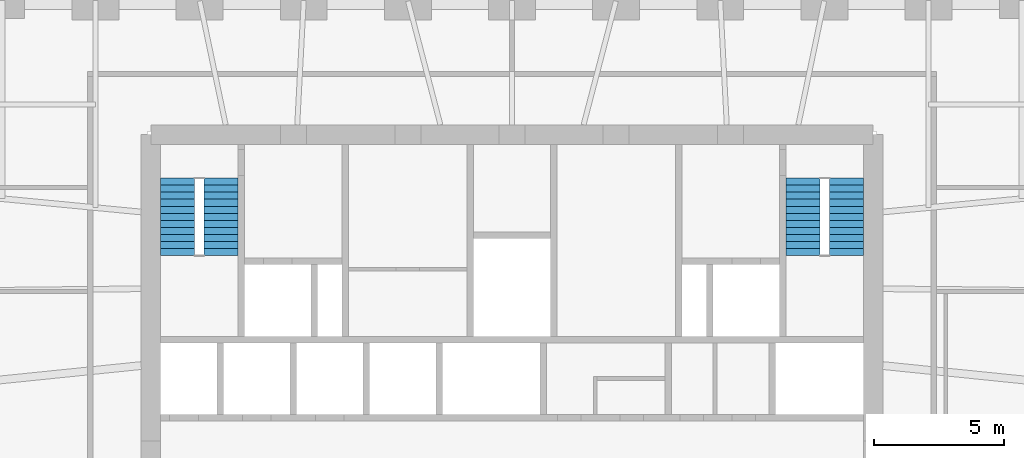
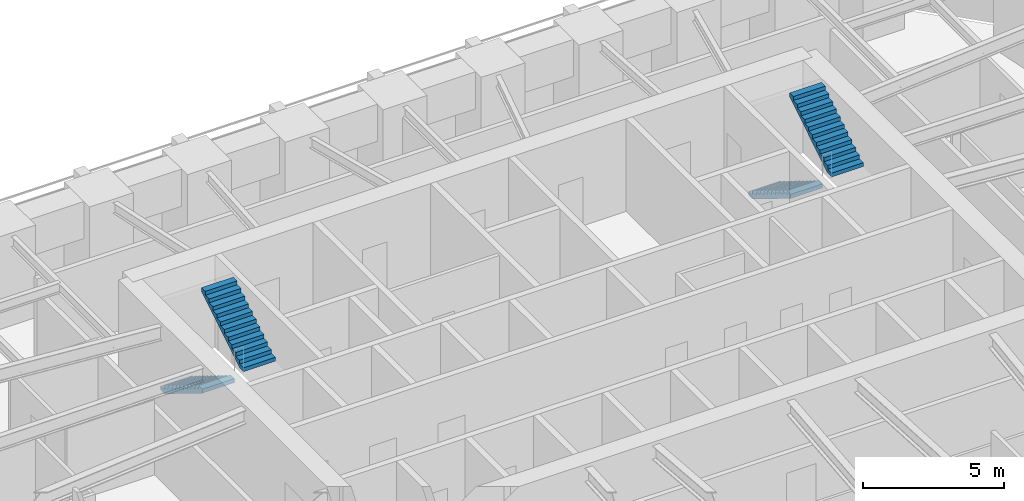
# One storey, part 8 of 10: 4 stair flights, 2 elements without a shape of their own.
"""IFC4 building model written with IfcOpenShell, lengths in metres."""

from ifc_helpers import new_model, si_unit, direction, frame, origin, place, context, subcontext, project, spatial, polyline, outline, extrude, material, type_object, element, aggregate, save


model = new_model("IFC4")

# Units and contexts
model_context = context("Model", 3, precision=1e-05, world=origin(), true_north=direction((0.0, 1.0)))
body_context = subcontext(model_context, "Body", "Model", "MODEL_VIEW")
ifc_project = project(units=[si_unit("LENGTHUNIT", "METRE"), si_unit("AREAUNIT", "SQUARE_METRE"), si_unit("VOLUMEUNIT", "CUBIC_METRE"), si_unit("PLANEANGLEUNIT", "RADIAN"), si_unit("MASSUNIT", "GRAM", prefix="KILO")], contexts=[model_context])

# Site, building, storey
site_placement = place(None, origin())
site = spatial("IfcSite", under=ifc_project, at=site_placement, CompositionType="ELEMENT")
building_placement = place(site_placement, origin())
building = spatial("IfcBuilding", under=site, at=building_placement, Name="Isbrekke Arena Tower", CompositionType="ELEMENT")
storey_placement = place(building_placement, frame((0.0, 0.0, 111.0)))
storey = spatial("IfcBuildingStorey", under=building, at=storey_placement, Name="L24", CompositionType="ELEMENT", Elevation=111.0)

# Stair, stair flights
ifc_material_1 = material(Name="Concrete B45 (C45/55) precast", Category="concrete")
stair_type = type_object("IfcStairType", Name="ST40 STAIR 1300 WIDE, 24 RISERS 167", PredefinedType="HALF_TURN_STAIR", material=ifc_material_1)
stair_1_placement = place(storey_placement, origin())
stair_1 = element("IfcStair", 1, at=stair_1_placement, inside=storey, type_object=stair_type, Name="ST1 stair L24", PredefinedType="HALF_TURN_STAIR")
ifc_material_2 = material(Name="Concrete B45 (C45/55) precast", Category="concrete")
stair_flight_type = type_object("IfcStairFlightType", Name="SF 1300 FLIGHT", PredefinedType="STRAIGHT", material=ifc_material_2)
stair_flight_1_placement = place(storey_placement, frame((-12.85009765625, 22.199951171875, 0.0), z_axis=(0.0, 0.0, 1.0), x_axis=(0.0, -1.0, 0.0)))
stair_flight_1 = element("IfcStairFlight", 2, at=stair_flight_1_placement, type_object=stair_flight_type, Name="ST1 flight 1", NumberOfRisers=12, NumberOfTreads=11, PredefinedType="STRAIGHT", RiserHeight=0.166666667, TreadLength=0.27, context=body_context, shape_type="SweptSolid", body=[
    extrude(outline(polyline([(0.0, 0.0), (0.0, 0.166748046875), (0.27001953125, 0.166748046875), (0.27001953125, 0.333251953125), (0.5400390625, 0.333251953125), (0.5400390625, 0.5), (0.81005859375, 0.5), (0.81005859375, 0.666748046875), (1.080078125, 0.666748046875), (1.080078125, 0.833251953125), (1.35009765625, 0.833251953125), (1.35009765625, 1.0), (1.6201171875, 1.0), (1.6201171875, 1.166748046875), (1.889892578125, 1.166748046875), (1.889892578125, 1.333251953125), (2.159912109375, 1.333251953125), (2.159912109375, 1.5), (2.429931640625, 1.5), (2.429931640625, 1.666748046875), (2.699951171875, 1.666748046875), (2.699951171875, 1.833251953125), (2.969970703125, 1.833251953125), (2.969970703125, 2.0), (2.969970703125, 1.6572265625), (0.285400390625, 0.0), (0.0, 0.0)])), frame((0.0, 0.64990234375, 0.0), z_axis=(0.0, -1.0, 0.0), x_axis=(1.0, 0.0, 0.0)), (0.0, 0.0, 1.0), 1.300048828125),
])
stair_flight_2_placement = place(storey_placement, frame((-11.175048828125, 19.22998046875, 2.0), z_axis=(0.0, 0.0, 1.0), x_axis=(0.0, 1.0, 0.0)))
stair_flight_2 = element("IfcStairFlight", 3, at=stair_flight_2_placement, type_object=stair_flight_type, Name="ST1 flight 2", NumberOfRisers=12, NumberOfTreads=11, PredefinedType="STRAIGHT", RiserHeight=0.166666667, TreadLength=0.27, context=body_context, shape_type="SweptSolid", body=[
    extrude(outline(polyline([(0.0, 0.0), (0.0, 0.166748046875), (0.27001953125, 0.166748046875), (0.27001953125, 0.333251953125), (0.5400390625, 0.333251953125), (0.5400390625, 0.5), (0.81005859375, 0.5), (0.81005859375, 0.666748046875), (1.080078125, 0.666748046875), (1.080078125, 0.833251953125), (1.35009765625, 0.833251953125), (1.35009765625, 1.0), (1.6201171875, 1.0), (1.6201171875, 1.166748046875), (1.889892578125, 1.166748046875), (1.889892578125, 1.333251953125), (2.159912109375, 1.333251953125), (2.159912109375, 1.5), (2.429931640625, 1.5), (2.429931640625, 1.666748046875), (2.699951171875, 1.666748046875), (2.699951171875, 1.833251953125), (2.969970703125, 1.833251953125), (2.969970703125, 2.0), (2.969970703125, 1.6572265625), (0.285400390625, 0.0), (0.0, 0.0)])), frame((0.0, 0.64990234375, 0.0), z_axis=(0.0, -1.0, 0.0), x_axis=(1.0, 0.0, 0.0)), (0.0, 0.0, 1.0), 1.300048828125),
])
aggregate(stair_1, [stair_flight_1, stair_flight_2])

stair_2_placement = place(storey_placement, origin())
stair_2 = element("IfcStair", 4, at=stair_2_placement, inside=storey, type_object=stair_type, Name="ST2 stair L24", PredefinedType="HALF_TURN_STAIR")
stair_flight_3_placement = place(storey_placement, frame((11.175048828125, 22.199951171875, 0.0), z_axis=(0.0, 0.0, 1.0), x_axis=(0.0, -1.0, 0.0)))
stair_flight_3 = element("IfcStairFlight", 5, at=stair_flight_3_placement, type_object=stair_flight_type, Name="ST2 flight 1", NumberOfRisers=12, NumberOfTreads=11, PredefinedType="STRAIGHT", RiserHeight=0.166666667, TreadLength=0.27, context=body_context, shape_type="SweptSolid", body=[
    extrude(outline(polyline([(0.0, 0.0), (0.0, 0.166748046875), (0.27001953125, 0.166748046875), (0.27001953125, 0.333251953125), (0.5400390625, 0.333251953125), (0.5400390625, 0.5), (0.81005859375, 0.5), (0.81005859375, 0.666748046875), (1.080078125, 0.666748046875), (1.080078125, 0.833251953125), (1.35009765625, 0.833251953125), (1.35009765625, 1.0), (1.6201171875, 1.0), (1.6201171875, 1.166748046875), (1.889892578125, 1.166748046875), (1.889892578125, 1.333251953125), (2.159912109375, 1.333251953125), (2.159912109375, 1.5), (2.429931640625, 1.5), (2.429931640625, 1.666748046875), (2.699951171875, 1.666748046875), (2.699951171875, 1.833251953125), (2.969970703125, 1.833251953125), (2.969970703125, 2.0), (2.969970703125, 1.6572265625), (0.285400390625, 0.0), (0.0, 0.0)])), frame((0.0, 0.64990234375, 0.0), z_axis=(0.0, -1.0, 0.0), x_axis=(1.0, 0.0, 0.0)), (0.0, 0.0, 1.0), 1.300048828125),
])
stair_flight_4_placement = place(storey_placement, frame((12.85009765625, 19.22998046875, 2.0), z_axis=(0.0, 0.0, 1.0), x_axis=(0.0, 1.0, 0.0)))
stair_flight_4 = element("IfcStairFlight", 6, at=stair_flight_4_placement, type_object=stair_flight_type, Name="ST2 flight 2", NumberOfRisers=12, NumberOfTreads=11, PredefinedType="STRAIGHT", RiserHeight=0.166666667, TreadLength=0.27, context=body_context, shape_type="SweptSolid", body=[
    extrude(outline(polyline([(0.0, 0.0), (0.0, 0.166748046875), (0.27001953125, 0.166748046875), (0.27001953125, 0.333251953125), (0.5400390625, 0.333251953125), (0.5400390625, 0.5), (0.81005859375, 0.5), (0.81005859375, 0.666748046875), (1.080078125, 0.666748046875), (1.080078125, 0.833251953125), (1.35009765625, 0.833251953125), (1.35009765625, 1.0), (1.6201171875, 1.0), (1.6201171875, 1.166748046875), (1.889892578125, 1.166748046875), (1.889892578125, 1.333251953125), (2.159912109375, 1.333251953125), (2.159912109375, 1.5), (2.429931640625, 1.5), (2.429931640625, 1.666748046875), (2.699951171875, 1.666748046875), (2.699951171875, 1.833251953125), (2.969970703125, 1.833251953125), (2.969970703125, 2.0), (2.969970703125, 1.6572265625), (0.285400390625, 0.0), (0.0, 0.0)])), frame((0.0, 0.64990234375, 0.0), z_axis=(0.0, -1.0, 0.0), x_axis=(1.0, 0.0, 0.0)), (0.0, 0.0, 1.0), 1.300048828125),
])
aggregate(stair_2, [stair_flight_3, stair_flight_4])

save(model, "model.ifc")
